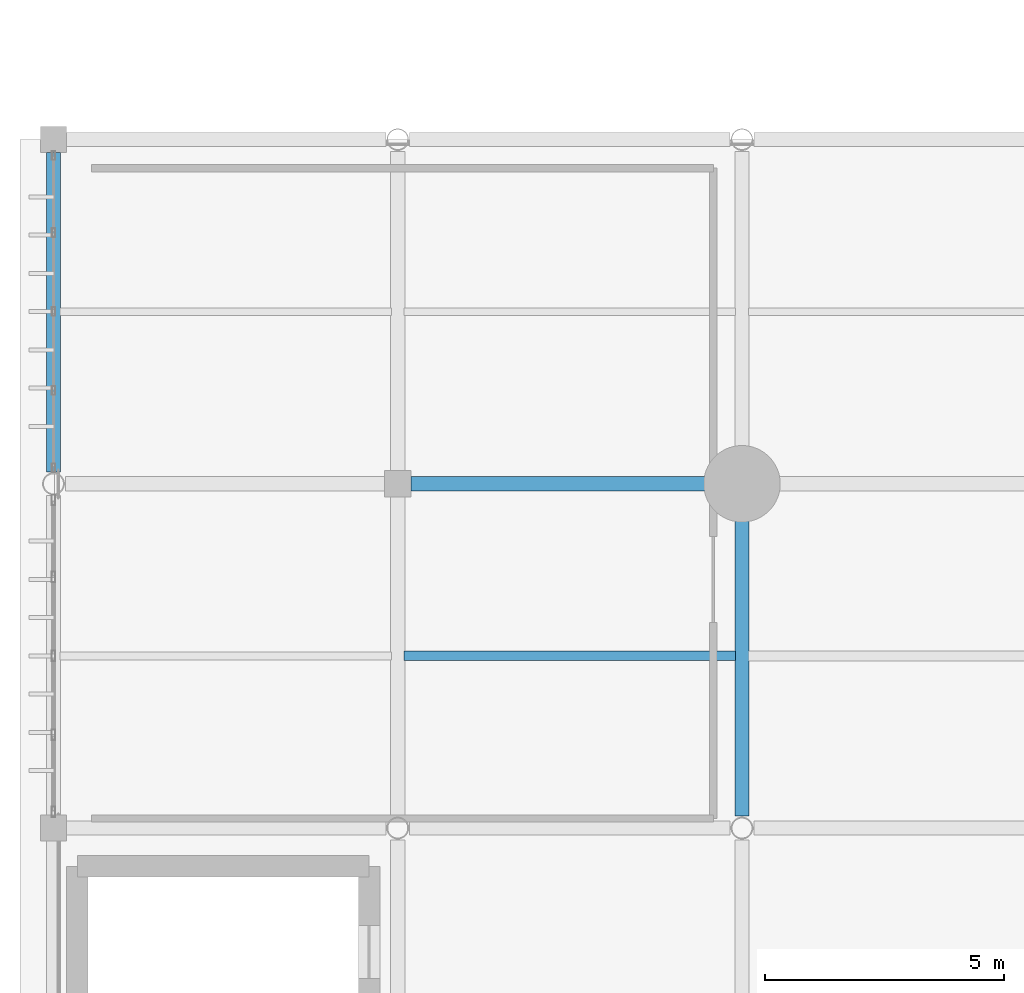
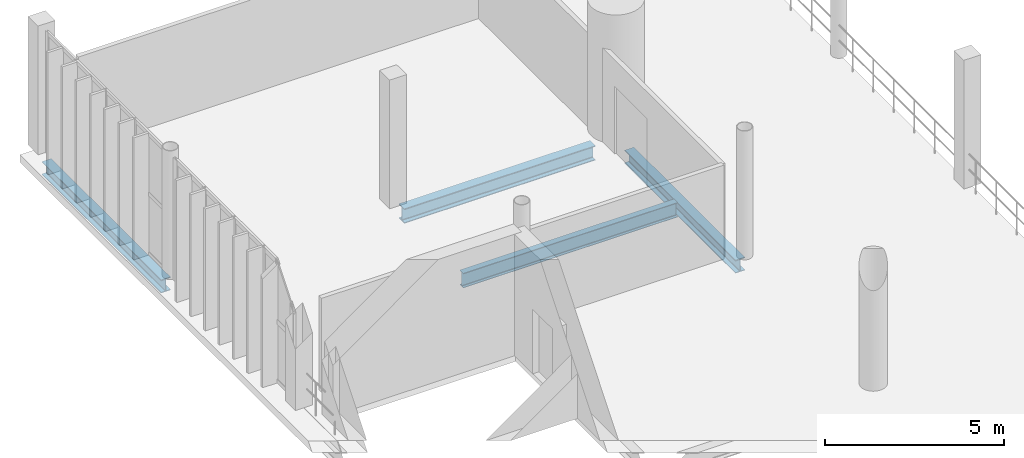
# One storey, part 39 of 81: 4 beams.
"""IFC4 building model written with IfcOpenShell, lengths in metres."""

from ifc_helpers import new_model, si_unit, direction, frame, origin, origin_2d, place, context, subcontext, project, spatial, i_section, extrude, material, material_profile, profile_set, type_object, element, save


model = new_model("IFC4")

# Units and contexts
model_context = context("Model", 3, precision=1e-05, world=origin(), true_north=direction((0.0, 1.0)))
body_context = subcontext(model_context, "Body", "Model", "MODEL_VIEW")
ifc_project = project(units=[si_unit("LENGTHUNIT", "METRE"), si_unit("AREAUNIT", "SQUARE_METRE"), si_unit("VOLUMEUNIT", "CUBIC_METRE"), si_unit("PLANEANGLEUNIT", "RADIAN"), si_unit("MASSUNIT", "GRAM", prefix="KILO")], contexts=[model_context])

# Site, building, storey
site_placement = place(None, origin())
site = spatial("IfcSite", under=ifc_project, at=site_placement, CompositionType="ELEMENT")
building_placement = place(site_placement, origin())
building = spatial("IfcBuilding", under=site, at=building_placement, Name="Qandorah Velis Arena", CompositionType="ELEMENT")
storey_placement = place(building_placement, frame((0.0, 0.0, 18.60009765625)))
storey = spatial("IfcBuildingStorey", under=building, at=storey_placement, Name="L04", CompositionType="ELEMENT", Elevation=18.60009765625)

# Beams
ifc_material = material(Name="Steel S355", Category="steel")
ifc_material_profile_1 = material_profile(ifc_material, i_section(OverallWidth=0.300048828125, OverallDepth=0.449951171875, WebThickness=0.013916015625, FlangeThickness=0.02587890625, FilletRadius=0.027099609375, at=origin_2d()), Name="HEB 450")
ifc_profile_set_1 = profile_set([ifc_material_profile_1], Name="Steel S355")
beam_type_1 = type_object("IfcBeamType", Name="STR-BM-HEB450", PredefinedType="BEAM", material=ifc_profile_set_1)
beam_1_placement = place(storey_placement, frame((0.0, 101.050048828125, -0.4951171875), z_axis=(0.0, 1.0, 0.0), x_axis=(-1.0, 0.0, 0.0)))
element("IfcBeam", 1, at=beam_1_placement, inside=storey, type_object=beam_type_1, Name="Primary floor girder L04 Y-157", PredefinedType="BEAM", context=body_context, shape_type="SweptSolid", body=[
    extrude(i_section(OverallWidth=0.300048828125, OverallDepth=0.449951171875, WebThickness=0.013916015625, FlangeThickness=0.02587890625, FilletRadius=0.027099609375, at=origin_2d()), origin(), (0.0, 0.0, 1.0), 6.675048828125),
])
beam_2_placement = place(storey_placement, frame((14.39990234375, 93.85009765625, -0.4951171875), z_axis=(0.0, 1.0, 0.0), x_axis=(-1.0, 0.0, 0.0)))
element("IfcBeam", 2, at=beam_2_placement, inside=storey, type_object=beam_type_1, Name="Primary floor girder L04 Y-180", PredefinedType="BEAM", context=body_context, shape_type="SweptSolid", body=[
    extrude(i_section(OverallWidth=0.300048828125, OverallDepth=0.449951171875, WebThickness=0.013916015625, FlangeThickness=0.02587890625, FilletRadius=0.027099609375, at=origin_2d()), origin(), (0.0, 0.0, 1.0), 6.199951171875),
])
ifc_material_profile_2 = material_profile(ifc_material, i_section(OverallWidth=0.300048828125, OverallDepth=0.5, WebThickness=0.014404296875, FlangeThickness=0.028076171875, FilletRadius=0.027099609375, at=origin_2d()), Name="HEB 500")
ifc_profile_set_2 = profile_set([ifc_material_profile_2], Name="Steel S355")
beam_type_2 = type_object("IfcBeamType", Name="STR-BM-HEB500", PredefinedType="BEAM", material=ifc_profile_set_2)
beam_3_placement = place(storey_placement, frame((7.47509765625, 100.800048828125, -0.52001953125), z_axis=(1.0, 0.0, 0.0), x_axis=(0.0, 1.0, 0.0)))
element("IfcBeam", 3, at=beam_3_placement, inside=storey, type_object=beam_type_2, Name="Primary floor girder L04 X-096", PredefinedType="BEAM", context=body_context, shape_type="SweptSolid", body=[
    extrude(i_section(OverallWidth=0.300048828125, OverallDepth=0.5, WebThickness=0.014404296875, FlangeThickness=0.028076171875, FilletRadius=0.027099609375, at=origin_2d()), origin(), (0.0, 0.0, 1.0), 6.1748046875),
])
ifc_material_profile_3 = material_profile(ifc_material, i_section(OverallWidth=0.199951171875, OverallDepth=0.5, WebThickness=0.01025390625, FlangeThickness=0.01611328125, FilletRadius=0.02099609375, at=origin_2d()), Name="IPE 500")
ifc_profile_set_3 = profile_set([ifc_material_profile_3], Name="Steel S355")
beam_type_3 = type_object("IfcBeamType", Name="STR-JST-IPE500", PredefinedType="JOIST", material=ifc_profile_set_3)
beam_4_placement = place(storey_placement, frame((7.3349609375, 97.199951171875, -0.52001953125), z_axis=(1.0, 0.0, 0.0), x_axis=(0.0, 1.0, 0.0)))
element("IfcBeam", 4, at=beam_4_placement, inside=storey, type_object=beam_type_3, Name="Secondary floor joist L04-019", PredefinedType="JOIST", context=body_context, shape_type="SweptSolid", body=[
    extrude(i_section(OverallWidth=0.199951171875, OverallDepth=0.5, WebThickness=0.01025390625, FlangeThickness=0.01611328125, FilletRadius=0.02099609375, at=origin_2d()), origin(), (0.0, 0.0, 1.0), 6.929931640625),
])

save(model, "model.ifc")
